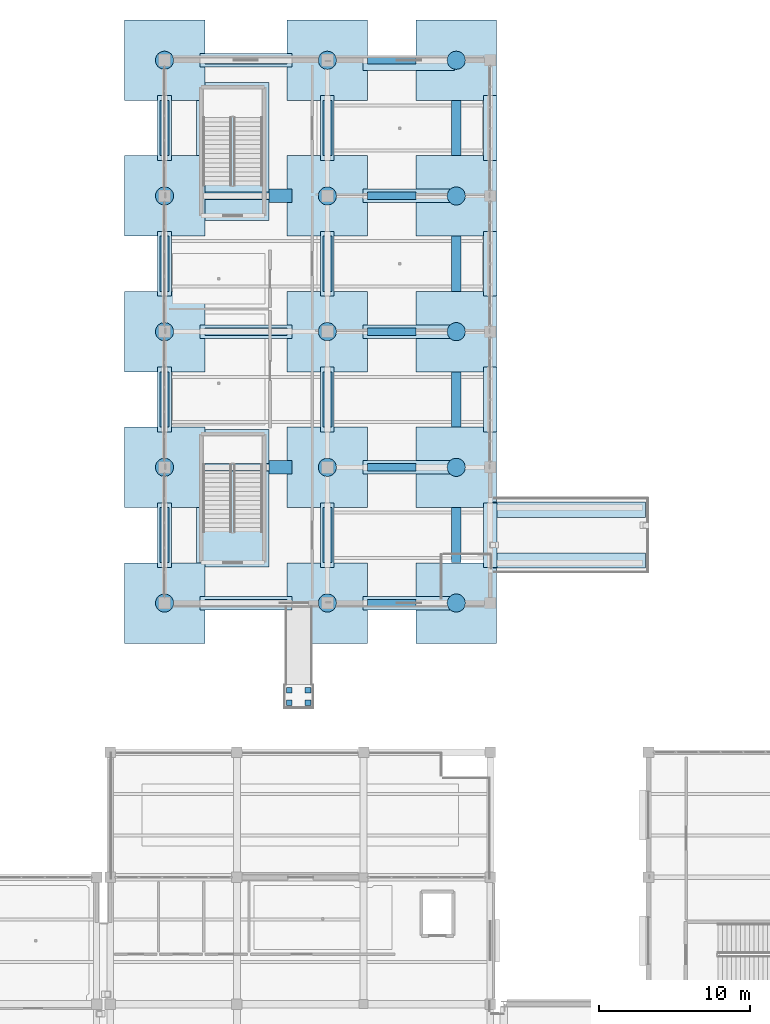
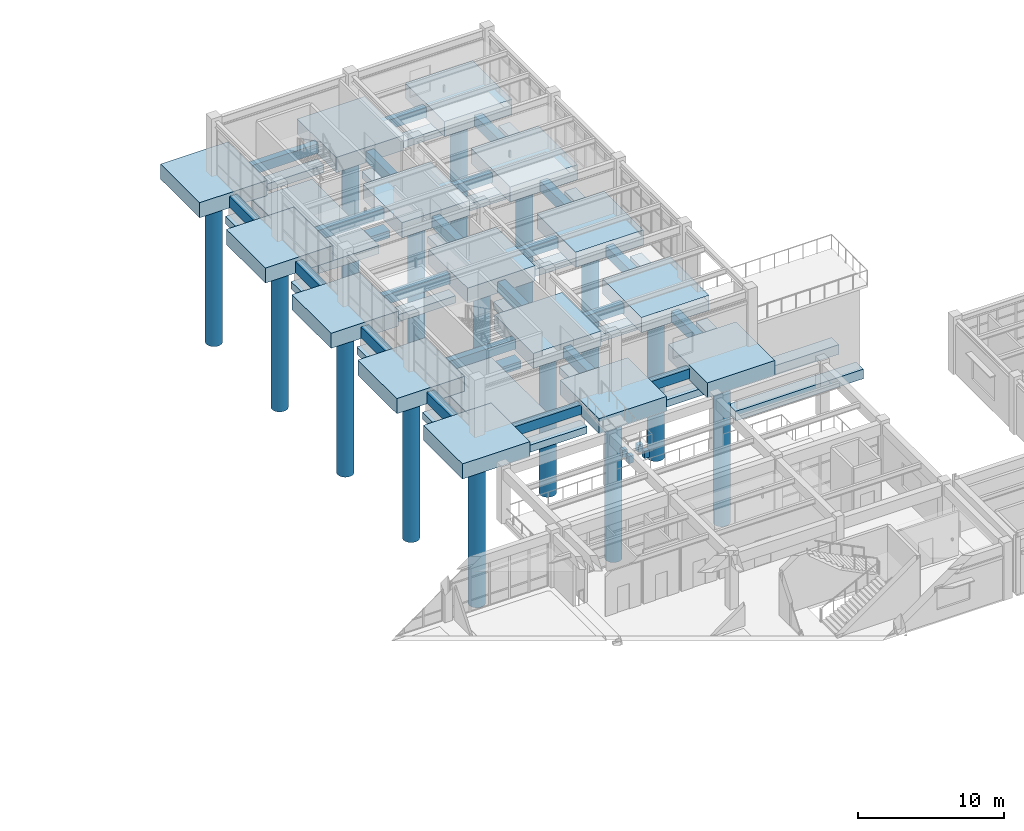
# One storey, part 1 of 98: 67 footings, 15 piles.
"""IFC4 building model written with IfcOpenShell, lengths in metres."""

from ifc_helpers import new_model, si_unit, direction, frame, origin, origin_2d, place, context, subcontext, project, spatial, rectangle, circle, extrude, material, material_profile, profile_set, type_object, element, save


model = new_model("IFC4")

# Units and contexts
model_context = context("Model", 3, precision=1e-05, world=origin(), true_north=direction((0.0, 1.0)))
body_context = subcontext(model_context, "Body", "Model", "MODEL_VIEW")
ifc_project = project(units=[si_unit("LENGTHUNIT", "METRE"), si_unit("AREAUNIT", "SQUARE_METRE"), si_unit("VOLUMEUNIT", "CUBIC_METRE"), si_unit("PLANEANGLEUNIT", "RADIAN"), si_unit("MASSUNIT", "GRAM", prefix="KILO")], contexts=[model_context])

# Site, building, storey
site_placement = place(None, origin())
site = spatial("IfcSite", under=ifc_project, at=site_placement, CompositionType="ELEMENT")
building_placement = place(site_placement, origin())
building = spatial("IfcBuilding", under=site, at=building_placement, Name="Canglan Escarpment Cableway Terminal", CompositionType="ELEMENT")
storey_placement = place(building_placement, frame((0.0, 0.0, 9.60009765625)))
storey = spatial("IfcBuildingStorey", under=building, at=storey_placement, Name="L02", CompositionType="ELEMENT", Elevation=9.60009765625)

# Footings
ifc_material = material(Name="Concrete C40", Category="concrete")
ifc_material_profile_1 = material_profile(ifc_material, rectangle(XDim=0.5, YDim=0.800048828125, at=origin_2d()), Name="FB 500x800")
ifc_profile_set_1 = profile_set([ifc_material_profile_1], Name="Concrete C40")
footing_type_1 = type_object("IfcFootingType", Name="FTG-BEAM-500x800", PredefinedType="FOOTING_BEAM", material=ifc_profile_set_1)
for number, where, z_axis, x_axis, name in (
    (1, (117.77197265625, 43.0, -0.7001953125), (1.0, 0.0, 0.0), (0.0, 1.0, 0.0), "Reinforced concrete ground tie beam FB-01"),
    (2, (117.77197265625, 52.0, -0.7001953125), (1.0, 0.0, 0.0), (0.0, 1.0, 0.0), "Reinforced concrete ground tie beam FB-01"),
    (3, (117.77197265625, 61.0, -0.7001953125), (1.0, 0.0, 0.0), (0.0, 1.0, 0.0), "Reinforced concrete ground tie beam FB-01"),
    (4, (117.77197265625, 70.0, -0.7001953125), (1.0, 0.0, 0.0), (0.0, 1.0, 0.0), "Reinforced concrete ground tie beam FB-01"),
    (5, (117.77197265625, 79.0, -0.7001953125), (1.0, 0.0, 0.0), (0.0, 1.0, 0.0), "Reinforced concrete ground tie beam FB-01"),
):
    element("IfcFooting", number, at=place(storey_placement, frame(where, z_axis=z_axis, x_axis=x_axis)), inside=storey, type_object=footing_type_1, Name=name, PredefinedType="FOOTING_BEAM", context=body_context, shape_type="SweptSolid", body=[
        extrude(rectangle(XDim=0.5, YDim=0.800048828125, at=origin_2d()), origin(), (0.0, 0.0, 1.0), 5.4560546875),
    ])
for number, where, z_axis, x_axis, name in (
    (6, (128.572021484375, 43.0, -0.7001953125), (1.0, 0.0, 0.0), (0.0, 1.0, 0.0), "Reinforced concrete ground tie beam FB-01"),
    (7, (128.572021484375, 52.0, -0.7001953125), (1.0, 0.0, 0.0), (0.0, 1.0, 0.0), "Reinforced concrete ground tie beam FB-01"),
    (8, (128.572021484375, 61.0, -0.7001953125), (1.0, 0.0, 0.0), (0.0, 1.0, 0.0), "Reinforced concrete ground tie beam FB-01"),
    (9, (128.572021484375, 70.0, -0.7001953125), (1.0, 0.0, 0.0), (0.0, 1.0, 0.0), "Reinforced concrete ground tie beam FB-01"),
    (10, (128.572021484375, 79.0, -0.7001953125), (1.0, 0.0, 0.0), (0.0, 1.0, 0.0), "Reinforced concrete ground tie beam FB-01"),
):
    element("IfcFooting", number, at=place(storey_placement, frame(where, z_axis=z_axis, x_axis=x_axis)), inside=storey, type_object=footing_type_1, Name=name, PredefinedType="FOOTING_BEAM", context=body_context, shape_type="SweptSolid", body=[
        extrude(rectangle(XDim=0.5, YDim=0.800048828125, at=origin_2d()), origin(), (0.0, 0.0, 1.0), 3.2060546875),
    ])
ifc_material_profile_2 = material_profile(ifc_material, rectangle(XDim=0.60009765625, YDim=0.89990234375, at=origin_2d()), Name="FB 600x900")
ifc_profile_set_2 = profile_set([ifc_material_profile_2], Name="Concrete C40")
footing_type_2 = type_object("IfcFootingType", Name="FTG-BEAM-600x900", PredefinedType="FOOTING_BEAM", material=ifc_profile_set_2)
for number, where, z_axis, x_axis, name in (
    (11, (115.10009765625, 45.672119140625, -0.75), (0.0, 1.0, 0.0), (-1.0, 0.0, 0.0), "Reinforced concrete ground tie beam FB-02"),
    (12, (115.10009765625, 54.672119140625, -0.75), (0.0, 1.0, 0.0), (-1.0, 0.0, 0.0), "Reinforced concrete ground tie beam FB-02"),
    (13, (115.10009765625, 63.672119140625, -0.75), (0.0, 1.0, 0.0), (-1.0, 0.0, 0.0), "Reinforced concrete ground tie beam FB-02"),
    (14, (115.10009765625, 72.672119140625, -0.75), (0.0, 1.0, 0.0), (-1.0, 0.0, 0.0), "Reinforced concrete ground tie beam FB-02"),
    (15, (125.89990234375, 45.672119140625, -0.75), (0.0, 1.0, 0.0), (-1.0, 0.0, 0.0), "Reinforced concrete ground tie beam FB-02"),
    (16, (125.89990234375, 54.672119140625, -0.75), (0.0, 1.0, 0.0), (-1.0, 0.0, 0.0), "Reinforced concrete ground tie beam FB-02"),
    (17, (125.89990234375, 63.672119140625, -0.75), (0.0, 1.0, 0.0), (-1.0, 0.0, 0.0), "Reinforced concrete ground tie beam FB-02"),
    (18, (125.89990234375, 72.672119140625, -0.75), (0.0, 1.0, 0.0), (-1.0, 0.0, 0.0), "Reinforced concrete ground tie beam FB-02"),
    (19, (134.449951171875, 45.672119140625, -0.75), (0.0, 1.0, 0.0), (-1.0, 0.0, 0.0), "Reinforced concrete ground tie beam FB-02"),
    (20, (134.449951171875, 54.672119140625, -0.75), (0.0, 1.0, 0.0), (-1.0, 0.0, 0.0), "Reinforced concrete ground tie beam FB-02"),
    (21, (134.449951171875, 63.672119140625, -0.75), (0.0, 1.0, 0.0), (-1.0, 0.0, 0.0), "Reinforced concrete ground tie beam FB-02"),
    (22, (134.449951171875, 72.672119140625, -0.75), (0.0, 1.0, 0.0), (-1.0, 0.0, 0.0), "Reinforced concrete ground tie beam FB-02"),
):
    element("IfcFooting", number, at=place(storey_placement, frame(where, z_axis=z_axis, x_axis=x_axis)), inside=storey, type_object=footing_type_2, Name=name, PredefinedType="FOOTING_BEAM", context=body_context, shape_type="SweptSolid", body=[
        extrude(rectangle(XDim=0.60009765625, YDim=0.89990234375, at=origin_2d()), origin(), (0.0, 0.0, 1.0), 3.65576171875),
    ])
footing_type_3 = type_object("IfcFootingType", Name="FTG-CAP-5340x5340x1260", PredefinedType="PILE_CAP", material=ifc_material)
for number, where, z_axis, x_axis, name in (
    (23, (115.10009765625, 43.0, -1.26025390625), (0.0, 0.0, 1.0), (1.0, 0.0, 0.0), "Reinforced concrete pile cap PC-07"),
    (24, (115.10009765625, 52.0, -1.26025390625), (0.0, 0.0, 1.0), (1.0, 0.0, 0.0), "Reinforced concrete pile cap PC-07"),
    (25, (115.10009765625, 61.0, -1.26025390625), (0.0, 0.0, 1.0), (1.0, 0.0, 0.0), "Reinforced concrete pile cap PC-07"),
    (26, (115.10009765625, 70.0, -1.26025390625), (0.0, 0.0, 1.0), (1.0, 0.0, 0.0), "Reinforced concrete pile cap PC-07"),
    (27, (115.10009765625, 79.0, -1.26025390625), (0.0, 0.0, 1.0), (1.0, 0.0, 0.0), "Reinforced concrete pile cap PC-07"),
    (28, (125.89990234375, 43.0, -1.26025390625), (0.0, 0.0, 1.0), (1.0, 0.0, 0.0), "Reinforced concrete pile cap PC-07"),
    (29, (125.89990234375, 52.0, -1.26025390625), (0.0, 0.0, 1.0), (1.0, 0.0, 0.0), "Reinforced concrete pile cap PC-07"),
    (30, (125.89990234375, 61.0, -1.26025390625), (0.0, 0.0, 1.0), (1.0, 0.0, 0.0), "Reinforced concrete pile cap PC-07"),
    (31, (125.89990234375, 70.0, -1.26025390625), (0.0, 0.0, 1.0), (1.0, 0.0, 0.0), "Reinforced concrete pile cap PC-07"),
    (32, (125.89990234375, 79.0, -1.26025390625), (0.0, 0.0, 1.0), (1.0, 0.0, 0.0), "Reinforced concrete pile cap PC-07"),
    (33, (134.449951171875, 43.0, -1.26025390625), (0.0, 0.0, 1.0), (1.0, 0.0, 0.0), "Reinforced concrete pile cap PC-07"),
    (34, (134.449951171875, 52.0, -1.26025390625), (0.0, 0.0, 1.0), (1.0, 0.0, 0.0), "Reinforced concrete pile cap PC-07"),
    (35, (134.449951171875, 61.0, -1.26025390625), (0.0, 0.0, 1.0), (1.0, 0.0, 0.0), "Reinforced concrete pile cap PC-07"),
    (36, (134.449951171875, 70.0, -1.26025390625), (0.0, 0.0, 1.0), (1.0, 0.0, 0.0), "Reinforced concrete pile cap PC-07"),
    (37, (134.449951171875, 79.0, -1.26025390625), (0.0, 0.0, 1.0), (1.0, 0.0, 0.0), "Reinforced concrete pile cap PC-07"),
):
    element("IfcFooting", number, at=place(storey_placement, frame(where, z_axis=z_axis, x_axis=x_axis)), inside=storey, type_object=footing_type_3, Name=name, PredefinedType="PILE_CAP", context=body_context, shape_type="SweptSolid", body=[
        extrude(rectangle(XDim=5.340087890625, YDim=5.340087890625, at=origin_2d()), origin(), (0.0, 0.0, 1.0), 1.260009765625),
    ])
footing_type_4 = type_object("IfcFootingType", Name="FTG-PAD-10100x1000x800", PredefinedType="PAD_FOOTING", material=ifc_material)
for number, where, z_axis, x_axis, name in (
    (38, (141.952392578125, 45.81494140625, -8.0), (0.0, 0.0, 1.0), (1.0, 0.0, 0.0), "Reinforced concrete auxiliary pad footing PF-02"),
    (39, (141.952392578125, 49.18505859375, -8.0), (0.0, 0.0, 1.0), (1.0, 0.0, 0.0), "Reinforced concrete auxiliary pad footing PF-02"),
):
    element("IfcFooting", number, at=place(storey_placement, frame(where, z_axis=z_axis, x_axis=x_axis)), inside=storey, type_object=footing_type_4, Name=name, PredefinedType="PAD_FOOTING", context=body_context, shape_type="SweptSolid", body=[
        extrude(rectangle(XDim=10.10009765625, YDim=1.0, at=origin_2d()), origin(), (0.0, 0.0, 1.0), 0.800048828125),
    ])
footing_type_5 = type_object("IfcFootingType", Name="FTG-PAD-380x380x600", PredefinedType="PAD_FOOTING", material=ifc_material)
for number, where, z_axis, x_axis, name in (
    (40, (123.3798828125, 36.3798828125, -1.250244140625), (0.0, 0.0, 1.0), (1.0, 0.0, 0.0), "Reinforced concrete auxiliary pad footing PF-12"),
    (41, (124.6201171875, 36.3798828125, -1.250244140625), (0.0, 0.0, 1.0), (1.0, 0.0, 0.0), "Reinforced concrete auxiliary pad footing PF-12"),
    (42, (124.6201171875, 37.219970703125, -1.250244140625), (0.0, 0.0, 1.0), (1.0, 0.0, 0.0), "Reinforced concrete auxiliary pad footing PF-12"),
    (43, (123.3798828125, 37.219970703125, -1.250244140625), (0.0, 0.0, 1.0), (1.0, 0.0, 0.0), "Reinforced concrete auxiliary pad footing PF-12"),
):
    element("IfcFooting", number, at=place(storey_placement, frame(where, z_axis=z_axis, x_axis=x_axis)), inside=storey, type_object=footing_type_5, Name=name, PredefinedType="PAD_FOOTING", context=body_context, shape_type="SweptSolid", body=[
        extrude(rectangle(XDim=0.3798828125, YDim=0.3798828125, at=origin_2d()), origin(), (0.0, 0.0, 1.0), 0.60009765625),
    ])
footing_type_6 = type_object("IfcFootingType", Name="FTG-PAD-4790x9140x700", PredefinedType="PAD_FOOTING", material=ifc_material)
for number, where, z_axis, x_axis, name in (
    (44, (119.625, 49.949951171875, -2.80029296875), (0.0, 0.0, 1.0), (1.0, 0.0, 0.0), "Reinforced concrete auxiliary pad footing PF-07"),
    (45, (119.625, 72.949951171875, -2.80029296875), (0.0, 0.0, 1.0), (1.0, 0.0, 0.0), "Reinforced concrete auxiliary pad footing PF-07"),
):
    element("IfcFooting", number, at=place(storey_placement, frame(where, z_axis=z_axis, x_axis=x_axis)), inside=storey, type_object=footing_type_6, Name=name, PredefinedType="PAD_FOOTING", context=body_context, shape_type="SweptSolid", body=[
        extrude(rectangle(XDim=4.7900390625, YDim=9.139892578125, at=origin_2d()), origin(), (0.0, 0.0, 1.0), 0.699951171875),
    ])
ifc_material_profile_3 = material_profile(ifc_material, rectangle(XDim=0.89990234375, YDim=0.60009765625, at=origin_2d()), Name="SF 900x600")
ifc_profile_set_3 = profile_set([ifc_material_profile_3], Name="Concrete C40")
footing_type_7 = type_object("IfcFootingType", Name="FTG-STRIP-900x600", PredefinedType="STRIP_FOOTING", material=ifc_profile_set_3)
for number, where, z_axis, x_axis, name in (
    (46, (117.449951171875, 43.0, -2.400146484375), (1.0, 0.0, 0.0), (0.0, 1.0, 0.0), "Bench foundation strip footing SF-F1"),
    (47, (128.25, 43.0, -2.400146484375), (1.0, 0.0, 0.0), (0.0, 1.0, 0.0), "Bench foundation strip footing SF-F1"),
):
    element("IfcFooting", number, at=place(storey_placement, frame(where, z_axis=z_axis, x_axis=x_axis)), inside=storey, type_object=footing_type_7, Name=name, PredefinedType="STRIP_FOOTING", context=body_context, shape_type="SweptSolid", body=[
        extrude(rectangle(XDim=0.89990234375, YDim=0.60009765625, at=origin_2d()), origin(), (0.0, 0.0, 1.0), 6.10009765625),
    ])
footing_1_placement = place(storey_placement, frame((122.030029296875, 52.0, -2.400146484375), z_axis=(1.0, 0.0, 0.0), x_axis=(0.0, 1.0, 0.0)))
element("IfcFooting", 48, at=footing_1_placement, inside=storey, type_object=footing_type_7, Name="Bench foundation strip footing SF-F1", PredefinedType="STRIP_FOOTING", context=body_context, shape_type="SweptSolid", body=[
    extrude(rectangle(XDim=0.89990234375, YDim=0.60009765625, at=origin_2d()), origin(), (0.0, 0.0, 1.0), 1.52001953125),
])
for number, where, z_axis, x_axis, name in (
    (49, (128.25, 52.0, -2.400146484375), (1.0, 0.0, 0.0), (0.0, 1.0, 0.0), "Bench foundation strip footing SF-F1"),
    (50, (117.449951171875, 61.0, -2.400146484375), (1.0, 0.0, 0.0), (0.0, 1.0, 0.0), "Bench foundation strip footing SF-F1"),
    (51, (128.25, 61.0, -2.400146484375), (1.0, 0.0, 0.0), (0.0, 1.0, 0.0), "Bench foundation strip footing SF-F1"),
):
    element("IfcFooting", number, at=place(storey_placement, frame(where, z_axis=z_axis, x_axis=x_axis)), inside=storey, type_object=footing_type_7, Name=name, PredefinedType="STRIP_FOOTING", context=body_context, shape_type="SweptSolid", body=[
        extrude(rectangle(XDim=0.89990234375, YDim=0.60009765625, at=origin_2d()), origin(), (0.0, 0.0, 1.0), 6.10009765625),
    ])
footing_2_placement = place(storey_placement, frame((122.030029296875, 70.0, -2.400146484375), z_axis=(1.0, 0.0, 0.0), x_axis=(0.0, 1.0, 0.0)))
element("IfcFooting", 52, at=footing_2_placement, inside=storey, type_object=footing_type_7, Name="Bench foundation strip footing SF-F1", PredefinedType="STRIP_FOOTING", context=body_context, shape_type="SweptSolid", body=[
    extrude(rectangle(XDim=0.89990234375, YDim=0.60009765625, at=origin_2d()), origin(), (0.0, 0.0, 1.0), 1.52001953125),
])
for number, where, z_axis, x_axis, name in (
    (53, (128.25, 70.0, -2.400146484375), (1.0, 0.0, 0.0), (0.0, 1.0, 0.0), "Bench foundation strip footing SF-F1"),
    (54, (117.449951171875, 79.0, -2.400146484375), (1.0, 0.0, 0.0), (0.0, 1.0, 0.0), "Bench foundation strip footing SF-F1"),
    (55, (128.25, 78.780029296875, -2.400146484375), (1.0, 0.0, 0.0), (0.0, 1.0, 0.0), "Bench foundation strip footing SF-F1"),
):
    element("IfcFooting", number, at=place(storey_placement, frame(where, z_axis=z_axis, x_axis=x_axis)), inside=storey, type_object=footing_type_7, Name=name, PredefinedType="STRIP_FOOTING", context=body_context, shape_type="SweptSolid", body=[
        extrude(rectangle(XDim=0.89990234375, YDim=0.60009765625, at=origin_2d()), origin(), (0.0, 0.0, 1.0), 6.10009765625),
    ])
for number, where, z_axis, x_axis, name in (
    (56, (115.10009765625, 45.35009765625, -2.400146484375), (0.0, 1.0, 0.0), (-1.0, 0.0, 0.0), "Bench foundation strip footing SF-F1"),
    (57, (115.10009765625, 54.35009765625, -2.400146484375), (0.0, 1.0, 0.0), (-1.0, 0.0, 0.0), "Bench foundation strip footing SF-F1"),
    (58, (115.10009765625, 63.35009765625, -2.400146484375), (0.0, 1.0, 0.0), (-1.0, 0.0, 0.0), "Bench foundation strip footing SF-F1"),
    (59, (115.10009765625, 72.35009765625, -2.400146484375), (0.0, 1.0, 0.0), (-1.0, 0.0, 0.0), "Bench foundation strip footing SF-F1"),
    (60, (125.89990234375, 45.35009765625, -2.400146484375), (0.0, 1.0, 0.0), (-1.0, 0.0, 0.0), "Bench foundation strip footing SF-F1"),
    (61, (125.89990234375, 54.35009765625, -2.400146484375), (0.0, 1.0, 0.0), (-1.0, 0.0, 0.0), "Bench foundation strip footing SF-F1"),
    (62, (125.89990234375, 63.35009765625, -2.400146484375), (0.0, 1.0, 0.0), (-1.0, 0.0, 0.0), "Bench foundation strip footing SF-F1"),
    (63, (125.89990234375, 72.35009765625, -2.400146484375), (0.0, 1.0, 0.0), (-1.0, 0.0, 0.0), "Bench foundation strip footing SF-F1"),
    (64, (136.699951171875, 45.35009765625, -2.400146484375), (0.0, 1.0, 0.0), (-1.0, 0.0, 0.0), "Bench foundation strip footing SF-F1"),
    (65, (136.699951171875, 54.35009765625, -2.400146484375), (0.0, 1.0, 0.0), (-1.0, 0.0, 0.0), "Bench foundation strip footing SF-F1"),
    (66, (136.699951171875, 63.35009765625, -2.400146484375), (0.0, 1.0, 0.0), (-1.0, 0.0, 0.0), "Bench foundation strip footing SF-F1"),
    (67, (136.699951171875, 72.35009765625, -2.400146484375), (0.0, 1.0, 0.0), (-1.0, 0.0, 0.0), "Bench foundation strip footing SF-F1"),
):
    element("IfcFooting", number, at=place(storey_placement, frame(where, z_axis=z_axis, x_axis=x_axis)), inside=storey, type_object=footing_type_7, Name=name, PredefinedType="STRIP_FOOTING", context=body_context, shape_type="SweptSolid", body=[
        extrude(rectangle(XDim=0.89990234375, YDim=0.60009765625, at=origin_2d()), origin(), (0.0, 0.0, 1.0), 4.2998046875),
    ])

# Piles
ifc_material_profile_4 = material_profile(ifc_material, circle(Radius=0.60009765625, at=origin_2d()), Name="BORED PILE D1200")
ifc_profile_set_4 = profile_set([ifc_material_profile_4], Name="Concrete C40")
pile_type = type_object("IfcPileType", Name="PILE-D1200", PredefinedType="BORED", material=ifc_profile_set_4)
for number, where, z_axis, x_axis, name in (
    (68, (115.10009765625, 43.0, -1.16015625), (0.0, 0.0, -1.0), (1.0, 0.0, 0.0), "Rock-socketed bored pile P-04"),
    (69, (115.10009765625, 52.0, -1.16015625), (0.0, 0.0, -1.0), (1.0, 0.0, 0.0), "Rock-socketed bored pile P-04"),
    (70, (115.10009765625, 61.0, -1.16015625), (0.0, 0.0, -1.0), (1.0, 0.0, 0.0), "Rock-socketed bored pile P-04"),
    (71, (115.10009765625, 70.0, -1.16015625), (0.0, 0.0, -1.0), (1.0, 0.0, 0.0), "Rock-socketed bored pile P-04"),
    (72, (115.10009765625, 79.0, -1.16015625), (0.0, 0.0, -1.0), (1.0, 0.0, 0.0), "Rock-socketed bored pile P-04"),
    (73, (125.89990234375, 43.0, -1.16015625), (0.0, 0.0, -1.0), (1.0, 0.0, 0.0), "Rock-socketed bored pile P-04"),
    (74, (125.89990234375, 52.0, -1.16015625), (0.0, 0.0, -1.0), (1.0, 0.0, 0.0), "Rock-socketed bored pile P-04"),
    (75, (125.89990234375, 61.0, -1.16015625), (0.0, 0.0, -1.0), (1.0, 0.0, 0.0), "Rock-socketed bored pile P-04"),
    (76, (125.89990234375, 70.0, -1.16015625), (0.0, 0.0, -1.0), (1.0, 0.0, 0.0), "Rock-socketed bored pile P-04"),
    (77, (125.89990234375, 79.0, -1.16015625), (0.0, 0.0, -1.0), (1.0, 0.0, 0.0), "Rock-socketed bored pile P-04"),
    (78, (134.449951171875, 43.0, -1.16015625), (0.0, 0.0, -1.0), (1.0, 0.0, 0.0), "Rock-socketed bored pile P-04"),
    (79, (134.449951171875, 52.0, -1.16015625), (0.0, 0.0, -1.0), (1.0, 0.0, 0.0), "Rock-socketed bored pile P-04"),
    (80, (134.449951171875, 61.0, -1.16015625), (0.0, 0.0, -1.0), (1.0, 0.0, 0.0), "Rock-socketed bored pile P-04"),
    (81, (134.449951171875, 70.0, -1.16015625), (0.0, 0.0, -1.0), (1.0, 0.0, 0.0), "Rock-socketed bored pile P-04"),
    (82, (134.449951171875, 79.0, -1.16015625), (0.0, 0.0, -1.0), (1.0, 0.0, 0.0), "Rock-socketed bored pile P-04"),
):
    element("IfcPile", number, at=place(storey_placement, frame(where, z_axis=z_axis, x_axis=x_axis)), inside=storey, type_object=pile_type, Name=name, PredefinedType="BORED", context=body_context, shape_type="SweptSolid", body=[
        extrude(circle(Radius=0.60009765625, at=origin_2d()), origin(), (0.0, 0.0, 1.0), 13.0),
    ])

save(model, "model.ifc")
